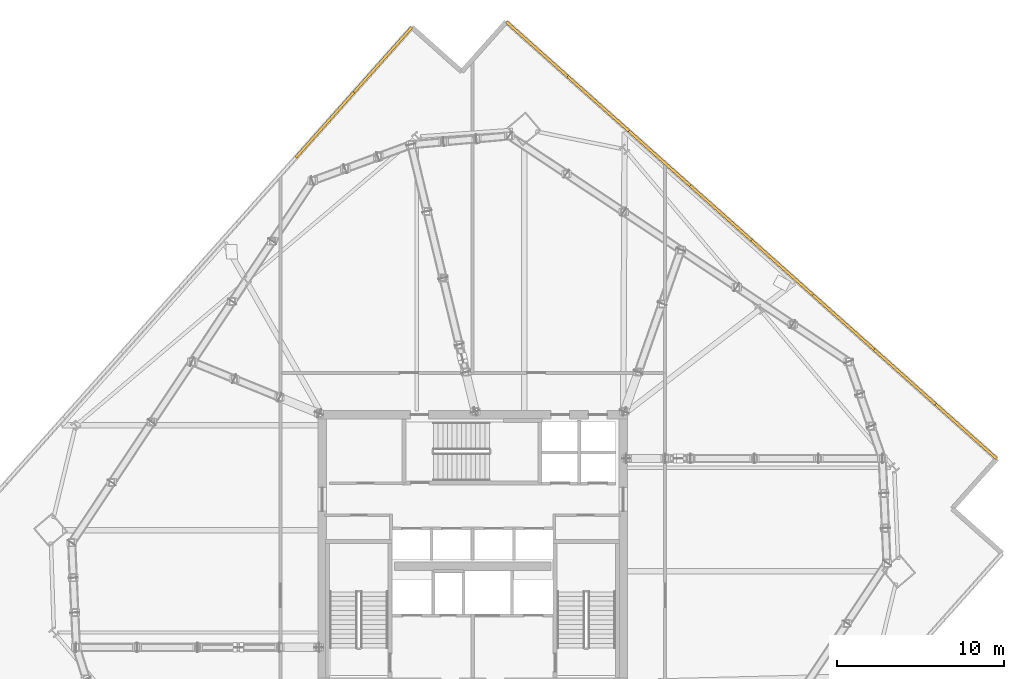
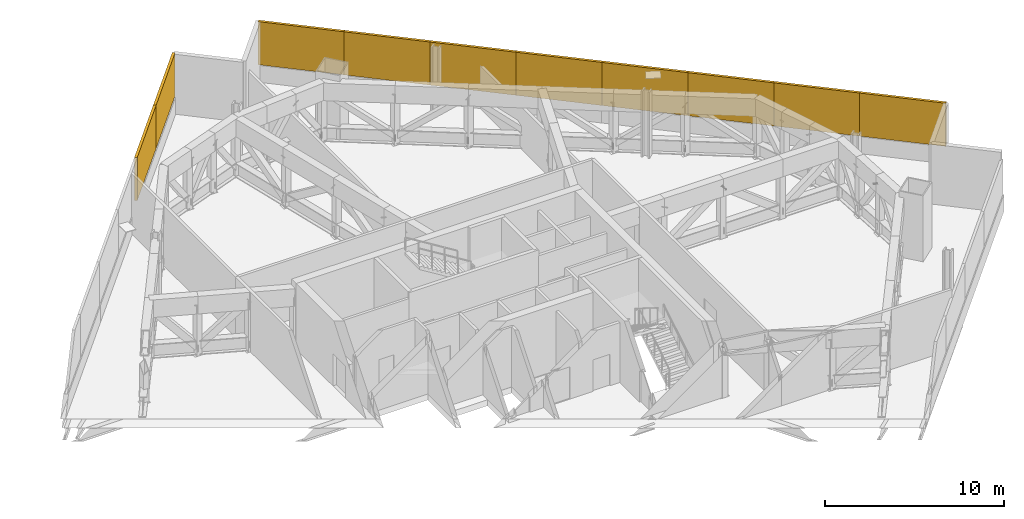
# One storey, part 18 of 18: 10 shading devices.
"""IFC4 building model written with IfcOpenShell, lengths in metres."""

from ifc_helpers import new_model, si_unit, direction, frame, origin, origin_2d, place, context, subcontext, project, spatial, rectangle, extrude, source, transform, mapped, material, layer, layer_set, type_object, element, save


model = new_model("IFC4")

# Units and contexts
model_context = context("Model", 3, precision=1e-05, world=origin(), true_north=direction((0.0, 1.0)))
body_context = subcontext(model_context, "Body", "Model", "MODEL_VIEW")
ifc_project = project(units=[si_unit("LENGTHUNIT", "METRE"), si_unit("AREAUNIT", "SQUARE_METRE"), si_unit("VOLUMEUNIT", "CUBIC_METRE"), si_unit("PLANEANGLEUNIT", "RADIAN"), si_unit("MASSUNIT", "GRAM", prefix="KILO")], contexts=[model_context])

# Site, building, storey
site_placement = place(None, origin())
site = spatial("IfcSite", under=ifc_project, at=site_placement, CompositionType="ELEMENT")
building_placement = place(site_placement, origin())
building = spatial("IfcBuilding", under=site, at=building_placement, Name="Haldenkirk Collegiate Tower", CompositionType="ELEMENT")
storey_placement = place(building_placement, frame((0.0, 0.0, 189.449951171875)))
storey = spatial("IfcBuildingStorey", under=building, at=storey_placement, Name="L47", CompositionType="ELEMENT", Elevation=189.449951171875)

# Shading devices
ifc_material = material(Name="Anodised architectural bronze aluminium", Category="aluminium")
ifc_layer = layer(ifc_material, 0.139892578125)
ifc_layer_set = layer_set([ifc_layer], Name="Anodised architectural bronze aluminium")
shading_device_type = type_object("IfcShadingDeviceType", Name="SHD-LOUVRE-CROWN", PredefinedType="JALOUSIE", material=ifc_layer_set)
shared_shape_1 = source(origin(), body_context, "Body", "SweptSolid", [
    extrude(rectangle(XDim=4.909423828125, YDim=0.159912109375, at=origin_2d()), origin(), (0.0, 0.0, 1.0), 2.93994140625),
])
for number, where, z_axis, x_axis, name in (
    (1, (39.841796875, 55.85986328125, 1.150146484375), (0.0, 0.0, 1.0), (0.746638182285, -0.665230354654, 0.0), "L47 mechanical intake louvre screen E1"),
    (2, (43.507080078125, 52.593994140625, 1.150146484375), (0.0, 0.0, 1.0), (0.746638182285, -0.665230354654, 0.0), "L47 mechanical intake louvre screen E2"),
    (3, (47.172607421875, 49.327880859375, 1.150146484375), (0.0, 0.0, 1.0), (0.746638182285, -0.665230354654, 0.0), "L47 mechanical intake louvre screen E3"),
    (4, (50.838134765625, 46.062255859375, 1.150146484375), (0.0, 0.0, 1.0), (0.746638182285, -0.665230354654, 0.0), "L47 mechanical intake louvre screen E4"),
    (5, (54.50390625, 42.79638671875, 1.150146484375), (0.0, 0.0, 1.0), (0.746638182285, -0.665230354654, 0.0), "L47 mechanical intake louvre screen E5"),
    (6, (58.169189453125, 39.530517578125, 1.150146484375), (0.0, 0.0, 1.0), (0.746638182285, -0.665230354654, 0.0), "L47 mechanical intake louvre screen E6"),
    (7, (61.834716796875, 36.2646484375, 1.150146484375), (0.0, 0.0, 1.0), (0.746638182285, -0.665230354654, 0.0), "L47 mechanical intake louvre screen E7"),
    (8, (65.500244140625, 32.998779296875, 1.150146484375), (0.0, 0.0, 1.0), (0.746638182285, -0.665230354654, 0.0), "L47 mechanical intake louvre screen E8"),
):
    element("IfcShadingDevice", number, at=place(storey_placement, frame(where, z_axis=z_axis, x_axis=x_axis)), inside=storey, type_object=shading_device_type, Name=name, PredefinedType="JALOUSIE", context=body_context, shape_type="MappedRepresentation", body=[
        mapped(shared_shape_1, transform((0.0, 0.0, 0.0), x_axis=(1.0, 0.0, 0.0), y_axis=(0.0, 1.0, 0.0), z_axis=(0.0, 0.0, 1.0), scale=1.0)),
    ])
shared_shape_2 = source(origin(), body_context, "Body", "SweptSolid", [
    extrude(rectangle(XDim=5.21240234375, YDim=0.159912109375, at=origin_2d()), origin(), (0.0, 0.0, 1.0), 2.93994140625),
])
for number, where, z_axis, x_axis, name in (
    (9, (27.16015625, 51.329345703125, 1.150146484375), (0.0, 0.0, 1.0), (0.665230354654, 0.746638182285, 0.0), "L47 mechanical intake louvre screen N7"),
    (10, (30.627685546875, 55.22119140625, 1.150146484375), (0.0, 0.0, 1.0), (0.665230354654, 0.746638182285, 0.0), "L47 mechanical intake louvre screen N8"),
):
    element("IfcShadingDevice", number, at=place(storey_placement, frame(where, z_axis=z_axis, x_axis=x_axis)), inside=storey, type_object=shading_device_type, Name=name, PredefinedType="JALOUSIE", context=body_context, shape_type="MappedRepresentation", body=[
        mapped(shared_shape_2, transform((0.0, 0.0, 0.0), x_axis=(1.0, 0.0, 0.0), y_axis=(0.0, 1.0, 0.0), z_axis=(0.0, 0.0, 1.0), scale=1.0)),
    ])

save(model, "model.ifc")
